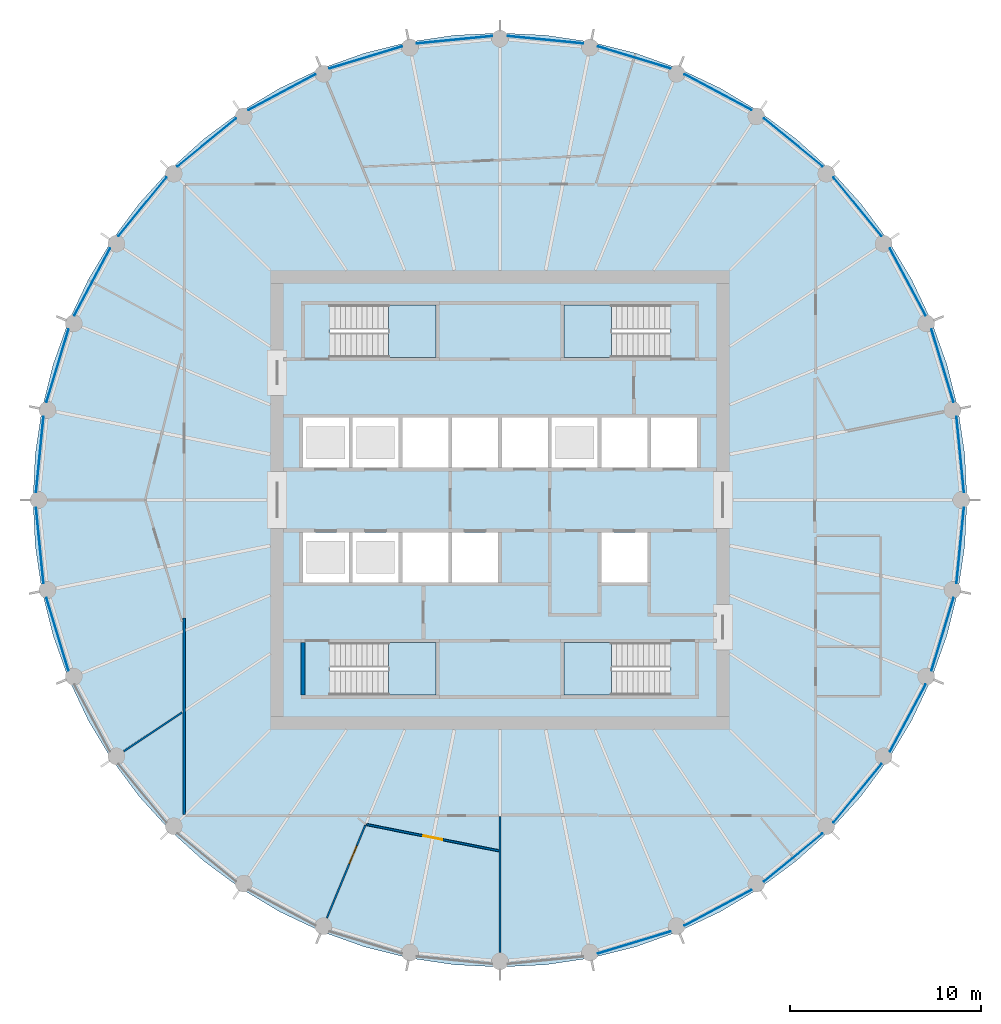
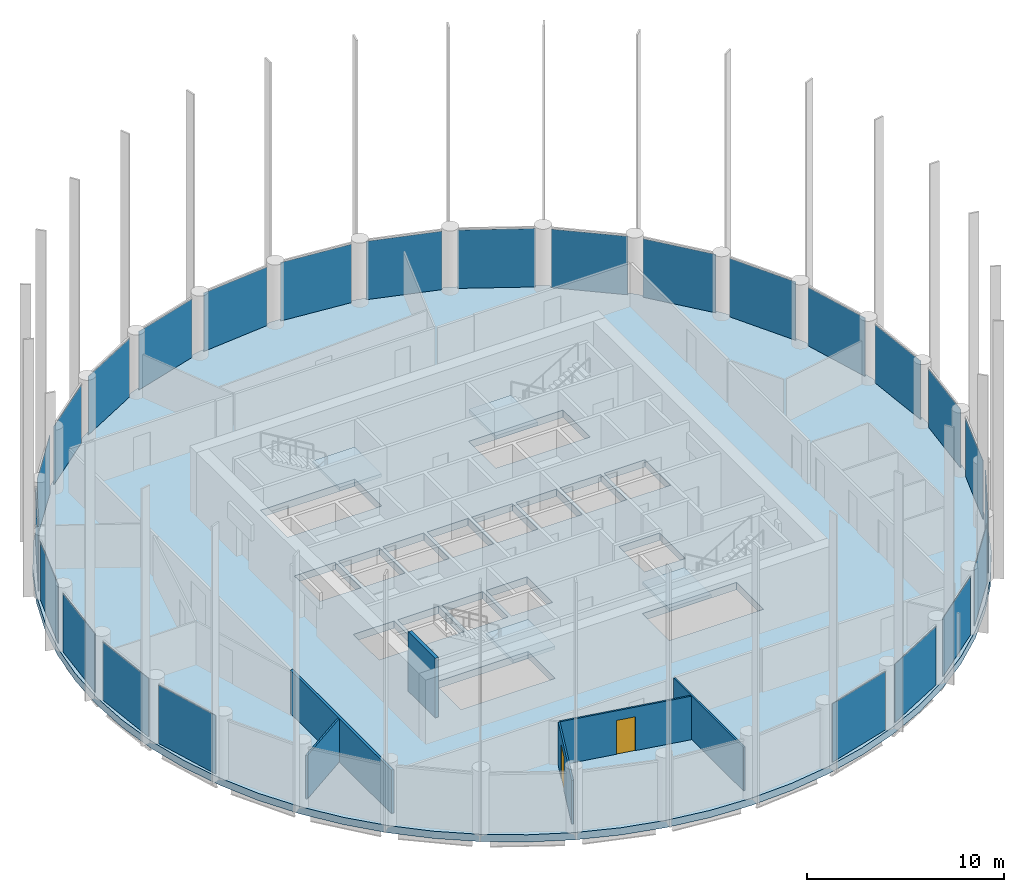
# One storey, part 3 of 9: 25 plates, 6 walls, 5 slabs, 2 doors, 2 openings, 29 elements without a shape of their own.
"""IFC4 building model written with IfcOpenShell, lengths in metres."""

from ifc_helpers import new_model, si_unit, direction, frame, frame_2d, origin, origin_2d, place, context, subcontext, project, spatial, polyline, rectangle, outline, extrude, material, layer, layer_set, type_object, element, fill, aggregate, save


model = new_model("IFC4")

# Units and contexts
model_context = context("Model", 3, precision=1e-05, world=origin(), true_north=direction((0.0, 1.0)))
body_context = subcontext(model_context, "Body", "Model", "MODEL_VIEW")
ifc_project = project(units=[si_unit("LENGTHUNIT", "METRE"), si_unit("AREAUNIT", "SQUARE_METRE"), si_unit("VOLUMEUNIT", "CUBIC_METRE"), si_unit("PLANEANGLEUNIT", "RADIAN"), si_unit("MASSUNIT", "GRAM", prefix="KILO")], contexts=[model_context])

# Site, building, storey
site_placement = place(None, origin())
site = spatial("IfcSite", under=ifc_project, at=site_placement, CompositionType="ELEMENT")
building_placement = place(site_placement, origin())
building = spatial("IfcBuilding", under=site, at=building_placement, Name="Corvane Civic Tower", CompositionType="ELEMENT")
storey_placement = place(building_placement, frame((0.0, 0.0, 263.0)))
storey = spatial("IfcBuildingStorey", under=building, at=storey_placement, Name="L62", CompositionType="ELEMENT", Elevation=263.0)

# Stair, slab
ifc_material_1 = material(Name="Concrete C40/50", Category="concrete")
stair_type = type_object("IfcStairType", Name="ST-STAIR-HALFTURN", PredefinedType="HALF_TURN_STAIR", material=ifc_material_1)
stair_1_placement = place(storey_placement, origin())
stair_1 = element("IfcStair", 1, at=stair_1_placement, inside=storey, type_object=stair_type, Name="L62 Exit stair ST1", PredefinedType="HALF_TURN_STAIR")
ifc_material_2 = material(Name="Concrete C40/50", Category="concrete")
ifc_layer_1 = layer(ifc_material_2, 0.199951171875)
ifc_layer_set_1 = layer_set([ifc_layer_1], Name="Concrete C40/50")
slab_type_1 = type_object("IfcSlabType", Name="ST-LANDING-RC", PredefinedType="LANDING", material=ifc_layer_set_1)
slab_1_placement = place(storey_placement, frame((0.0, 0.0, 1.800048828125)))
slab_1 = element("IfcSlab", 2, at=slab_1_placement, type_object=slab_type_1, Name="ST1 landing 1", PredefinedType="LANDING", context=body_context, shape_type="SweptSolid", body=[
    extrude(outline(polyline([(5.820068359375, 10.199951171875), (3.35009765625, 10.199951171875), (3.35009765625, 7.449951171875), (5.820068359375, 7.449951171875), (5.820068359375, 10.199951171875)])), origin(), (0.0, 0.0, 1.0), 0.199951171875),
])
aggregate(stair_1, [slab_1])

stair_2_placement = place(storey_placement, origin())
stair_2 = element("IfcStair", 3, at=stair_2_placement, inside=storey, type_object=stair_type, Name="L62 Exit stair ST2", PredefinedType="HALF_TURN_STAIR")
slab_2_placement = place(storey_placement, frame((0.0, 0.0, 1.800048828125)))
slab_2 = element("IfcSlab", 4, at=slab_2_placement, type_object=slab_type_1, Name="ST2 landing 1", PredefinedType="LANDING", context=body_context, shape_type="SweptSolid", body=[
    extrude(outline(polyline([(5.820068359375, -7.449951171875), (3.35009765625, -7.449951171875), (3.35009765625, -10.199951171875), (5.820068359375, -10.199951171875), (5.820068359375, -7.449951171875)])), origin(), (0.0, 0.0, 1.0), 0.199951171875),
])
aggregate(stair_2, [slab_2])

stair_3_placement = place(storey_placement, origin())
stair_3 = element("IfcStair", 5, at=stair_3_placement, inside=storey, type_object=stair_type, Name="L62 Exit stair ST3", PredefinedType="HALF_TURN_STAIR")
slab_3_placement = place(storey_placement, frame((0.0, 0.0, 1.800048828125)))
slab_3 = element("IfcSlab", 6, at=slab_3_placement, type_object=slab_type_1, Name="ST3 landing 1", PredefinedType="LANDING", context=body_context, shape_type="SweptSolid", body=[
    extrude(outline(polyline([(-5.820068359375, -10.199951171875), (-3.35009765625, -10.199951171875), (-3.35009765625, -7.449951171875), (-5.820068359375, -7.449951171875), (-5.820068359375, -10.199951171875)])), origin(), (0.0, 0.0, 1.0), 0.199951171875),
])
aggregate(stair_3, [slab_3])

stair_4_placement = place(storey_placement, origin())
stair_4 = element("IfcStair", 7, at=stair_4_placement, inside=storey, type_object=stair_type, Name="L62 Exit stair ST4", PredefinedType="HALF_TURN_STAIR")
slab_4_placement = place(storey_placement, frame((0.0, 0.0, 1.800048828125)))
slab_4 = element("IfcSlab", 8, at=slab_4_placement, type_object=slab_type_1, Name="ST4 landing 1", PredefinedType="LANDING", context=body_context, shape_type="SweptSolid", body=[
    extrude(outline(polyline([(-5.820068359375, 7.449951171875), (-3.35009765625, 7.449951171875), (-3.35009765625, 10.199951171875), (-5.820068359375, 10.199951171875), (-5.820068359375, 7.449951171875)])), origin(), (0.0, 0.0, 1.0), 0.199951171875),
])
aggregate(stair_4, [slab_4])

# Curtain wall, plate
ifc_material_3 = material(Name="Anodised aluminium bronze", Category="aluminium")
curtain_wall_type = type_object("IfcCurtainWallType", Name="TOWER CW-T3 STICK CURTAIN WALL", PredefinedType="NOTDEFINED", material=ifc_material_3)
curtain_wall_1_placement = place(storey_placement, origin())
curtain_wall_1 = element("IfcCurtainWall", 9, at=curtain_wall_1_placement, inside=storey, type_object=curtain_wall_type, Name="Curtain wall CW-T3 L62 bay 01", PredefinedType="NOTDEFINED")
ifc_material_4 = material(Name="Tinted glass", Category="glass")
ifc_layer_2 = layer(ifc_material_4, 0.028076171875)
ifc_layer_set_2 = layer_set([ifc_layer_2], Name="Tinted glass")
plate_type = type_object("IfcPlateType", Name="TOWER CW-T3 PANEL IGU28", PredefinedType="CURTAIN_PANEL", material=ifc_layer_set_2)
plate_1_placement = place(storey_placement, frame((2.368408203125, 24.046875, 0.0), z_axis=(0.0, 0.0, 1.0), x_axis=(0.99518437747, -0.098020685775, 0.0)))
plate_1 = element("IfcPlate", 10, at=plate_1_placement, type_object=plate_type, Name="Glass panel CW-T3 L62 01.1", PredefinedType="CURTAIN_PANEL", context=body_context, shape_type="SweptSolid", body=[
    extrude(rectangle(XDim=3.958740234375, YDim=0.028076171875, at=origin_2d()), origin(), (0.0, 0.0, 1.0), 3.6298828125),
])
aggregate(curtain_wall_1, [plate_1])

curtain_wall_2_placement = place(storey_placement, origin())
curtain_wall_2 = element("IfcCurtainWall", 11, at=curtain_wall_2_placement, inside=storey, type_object=curtain_wall_type, Name="Curtain wall CW-T3 L62 bay 02", PredefinedType="NOTDEFINED")
plate_2_placement = place(storey_placement, frame((7.01416015625, 23.12255859375, 0.0), z_axis=(0.0, 0.0, 1.0), x_axis=(0.956943694519, -0.290273604586, 0.0)))
plate_2 = element("IfcPlate", 12, at=plate_2_placement, type_object=plate_type, Name="Glass panel CW-T3 L62 02.1", PredefinedType="CURTAIN_PANEL", context=body_context, shape_type="SweptSolid", body=[
    extrude(rectangle(XDim=3.958984375, YDim=0.028076171875, at=origin_2d()), origin(), (0.0, 0.0, 1.0), 3.6298828125),
])
aggregate(curtain_wall_2, [plate_2])

curtain_wall_3_placement = place(storey_placement, origin())
curtain_wall_3 = element("IfcCurtainWall", 13, at=curtain_wall_3_placement, inside=storey, type_object=curtain_wall_type, Name="Curtain wall CW-T3 L62 bay 03", PredefinedType="NOTDEFINED")
plate_3_placement = place(storey_placement, frame((11.390380859375, 21.31005859375, 0.0), z_axis=(0.0, 0.0, 1.0), x_axis=(0.881908138655, -0.471421292448, 0.0)))
plate_3 = element("IfcPlate", 14, at=plate_3_placement, type_object=plate_type, Name="Glass panel CW-T3 L62 03.1", PredefinedType="CURTAIN_PANEL", context=body_context, shape_type="SweptSolid", body=[
    extrude(rectangle(XDim=3.958740234375, YDim=0.028076171875, at=origin_2d()), origin(), (0.0, 0.0, 1.0), 3.6298828125),
])
aggregate(curtain_wall_3, [plate_3])

curtain_wall_4_placement = place(storey_placement, origin())
curtain_wall_4 = element("IfcCurtainWall", 15, at=curtain_wall_4_placement, inside=storey, type_object=curtain_wall_type, Name="Curtain wall CW-T3 L62 bay 04", PredefinedType="NOTDEFINED")
plate_4_placement = place(storey_placement, frame((15.328857421875, 18.67822265625, 0.0), z_axis=(0.0, 0.0, 1.0), x_axis=(0.773001130565, -0.634404643855, 0.0)))
plate_4 = element("IfcPlate", 16, at=plate_4_placement, type_object=plate_type, Name="Glass panel CW-T3 L62 04.1", PredefinedType="CURTAIN_PANEL", context=body_context, shape_type="SweptSolid", body=[
    extrude(rectangle(XDim=3.958740234375, YDim=0.028076171875, at=origin_2d()), origin(), (0.0, 0.0, 1.0), 3.6298828125),
])
aggregate(curtain_wall_4, [plate_4])

curtain_wall_5_placement = place(storey_placement, origin())
curtain_wall_5 = element("IfcCurtainWall", 17, at=curtain_wall_5_placement, inside=storey, type_object=curtain_wall_type, Name="Curtain wall CW-T3 L62 bay 05", PredefinedType="NOTDEFINED")
plate_5_placement = place(storey_placement, frame((18.67822265625, 15.328857421875, 0.0), z_axis=(0.0, 0.0, 1.0), x_axis=(0.634404643855, -0.773001130565, 0.0)))
plate_5 = element("IfcPlate", 18, at=plate_5_placement, type_object=plate_type, Name="Glass panel CW-T3 L62 05.1", PredefinedType="CURTAIN_PANEL", context=body_context, shape_type="SweptSolid", body=[
    extrude(rectangle(XDim=3.958740234375, YDim=0.028076171875, at=origin_2d()), origin(), (0.0, 0.0, 1.0), 3.6298828125),
])
aggregate(curtain_wall_5, [plate_5])

curtain_wall_6_placement = place(storey_placement, origin())
curtain_wall_6 = element("IfcCurtainWall", 19, at=curtain_wall_6_placement, inside=storey, type_object=curtain_wall_type, Name="Curtain wall CW-T3 L62 bay 06", PredefinedType="NOTDEFINED")
plate_6_placement = place(storey_placement, frame((21.31005859375, 11.390380859375, 0.0), z_axis=(0.0, 0.0, 1.0), x_axis=(0.471421292448, -0.881908138655, 0.0)))
plate_6 = element("IfcPlate", 20, at=plate_6_placement, type_object=plate_type, Name="Glass panel CW-T3 L62 06.1", PredefinedType="CURTAIN_PANEL", context=body_context, shape_type="SweptSolid", body=[
    extrude(rectangle(XDim=3.958740234375, YDim=0.028076171875, at=origin_2d()), origin(), (0.0, 0.0, 1.0), 3.6298828125),
])
aggregate(curtain_wall_6, [plate_6])

curtain_wall_7_placement = place(storey_placement, origin())
curtain_wall_7 = element("IfcCurtainWall", 21, at=curtain_wall_7_placement, inside=storey, type_object=curtain_wall_type, Name="Curtain wall CW-T3 L62 bay 07", PredefinedType="NOTDEFINED")
plate_7_placement = place(storey_placement, frame((23.12255859375, 7.01416015625, 0.0), z_axis=(0.0, 0.0, 1.0), x_axis=(0.290273604586, -0.956943694519, 0.0)))
plate_7 = element("IfcPlate", 22, at=plate_7_placement, type_object=plate_type, Name="Glass panel CW-T3 L62 07.1", PredefinedType="CURTAIN_PANEL", context=body_context, shape_type="SweptSolid", body=[
    extrude(rectangle(XDim=3.958984375, YDim=0.028076171875, at=origin_2d()), origin(), (0.0, 0.0, 1.0), 3.6298828125),
])
aggregate(curtain_wall_7, [plate_7])

curtain_wall_8_placement = place(storey_placement, origin())
curtain_wall_8 = element("IfcCurtainWall", 23, at=curtain_wall_8_placement, inside=storey, type_object=curtain_wall_type, Name="Curtain wall CW-T3 L62 bay 08", PredefinedType="NOTDEFINED")
plate_8_placement = place(storey_placement, frame((24.046875, 2.368408203125, 0.0), z_axis=(0.0, 0.0, 1.0), x_axis=(0.098020685775, -0.99518437747, 0.0)))
plate_8 = element("IfcPlate", 24, at=plate_8_placement, type_object=plate_type, Name="Glass panel CW-T3 L62 08.1", PredefinedType="CURTAIN_PANEL", context=body_context, shape_type="SweptSolid", body=[
    extrude(rectangle(XDim=3.958740234375, YDim=0.028076171875, at=origin_2d()), origin(), (0.0, 0.0, 1.0), 3.6298828125),
])
aggregate(curtain_wall_8, [plate_8])

curtain_wall_9_placement = place(storey_placement, origin())
curtain_wall_9 = element("IfcCurtainWall", 25, at=curtain_wall_9_placement, inside=storey, type_object=curtain_wall_type, Name="Curtain wall CW-T3 L62 bay 09", PredefinedType="NOTDEFINED")
plate_9_placement = place(storey_placement, frame((24.046875, -2.368408203125, 0.0), z_axis=(0.0, 0.0, 1.0), x_axis=(-0.098020685775, -0.99518437747, 0.0)))
plate_9 = element("IfcPlate", 26, at=plate_9_placement, type_object=plate_type, Name="Glass panel CW-T3 L62 09.1", PredefinedType="CURTAIN_PANEL", context=body_context, shape_type="SweptSolid", body=[
    extrude(rectangle(XDim=3.958740234375, YDim=0.028076171875, at=origin_2d()), origin(), (0.0, 0.0, 1.0), 3.6298828125),
])
aggregate(curtain_wall_9, [plate_9])

curtain_wall_10_placement = place(storey_placement, origin())
curtain_wall_10 = element("IfcCurtainWall", 27, at=curtain_wall_10_placement, inside=storey, type_object=curtain_wall_type, Name="Curtain wall CW-T3 L62 bay 10", PredefinedType="NOTDEFINED")
plate_10_placement = place(storey_placement, frame((23.12255859375, -7.01416015625, 0.0), z_axis=(0.0, 0.0, 1.0), x_axis=(-0.290273604586, -0.956943694519, 0.0)))
plate_10 = element("IfcPlate", 28, at=plate_10_placement, type_object=plate_type, Name="Glass panel CW-T3 L62 10.1", PredefinedType="CURTAIN_PANEL", context=body_context, shape_type="SweptSolid", body=[
    extrude(rectangle(XDim=3.958984375, YDim=0.028076171875, at=origin_2d()), origin(), (0.0, 0.0, 1.0), 3.6298828125),
])
aggregate(curtain_wall_10, [plate_10])

curtain_wall_11_placement = place(storey_placement, origin())
curtain_wall_11 = element("IfcCurtainWall", 29, at=curtain_wall_11_placement, inside=storey, type_object=curtain_wall_type, Name="Curtain wall CW-T3 L62 bay 11", PredefinedType="NOTDEFINED")
plate_11_placement = place(storey_placement, frame((21.31005859375, -11.390380859375, 0.0), z_axis=(0.0, 0.0, 1.0), x_axis=(-0.471421292448, -0.881908138655, 0.0)))
plate_11 = element("IfcPlate", 30, at=plate_11_placement, type_object=plate_type, Name="Glass panel CW-T3 L62 11.1", PredefinedType="CURTAIN_PANEL", context=body_context, shape_type="SweptSolid", body=[
    extrude(rectangle(XDim=3.958740234375, YDim=0.028076171875, at=origin_2d()), origin(), (0.0, 0.0, 1.0), 3.6298828125),
])
aggregate(curtain_wall_11, [plate_11])

curtain_wall_12_placement = place(storey_placement, origin())
curtain_wall_12 = element("IfcCurtainWall", 31, at=curtain_wall_12_placement, inside=storey, type_object=curtain_wall_type, Name="Curtain wall CW-T3 L62 bay 12", PredefinedType="NOTDEFINED")
plate_12_placement = place(storey_placement, frame((18.67822265625, -15.328857421875, 0.0), z_axis=(0.0, 0.0, 1.0), x_axis=(-0.634404643855, -0.773001130565, 0.0)))
plate_12 = element("IfcPlate", 32, at=plate_12_placement, type_object=plate_type, Name="Glass panel CW-T3 L62 12.1", PredefinedType="CURTAIN_PANEL", context=body_context, shape_type="SweptSolid", body=[
    extrude(rectangle(XDim=3.958740234375, YDim=0.028076171875, at=origin_2d()), origin(), (0.0, 0.0, 1.0), 3.6298828125),
])
aggregate(curtain_wall_12, [plate_12])

curtain_wall_13_placement = place(storey_placement, origin())
curtain_wall_13 = element("IfcCurtainWall", 33, at=curtain_wall_13_placement, inside=storey, type_object=curtain_wall_type, Name="Curtain wall CW-T3 L62 bay 13", PredefinedType="NOTDEFINED")
plate_13_placement = place(storey_placement, frame((15.328857421875, -18.67822265625, 0.0), z_axis=(0.0, 0.0, 1.0), x_axis=(-0.773001130565, -0.634404643855, 0.0)))
plate_13 = element("IfcPlate", 34, at=plate_13_placement, type_object=plate_type, Name="Glass panel CW-T3 L62 13.1", PredefinedType="CURTAIN_PANEL", context=body_context, shape_type="SweptSolid", body=[
    extrude(rectangle(XDim=3.958740234375, YDim=0.028076171875, at=origin_2d()), origin(), (0.0, 0.0, 1.0), 3.6298828125),
])
aggregate(curtain_wall_13, [plate_13])

curtain_wall_14_placement = place(storey_placement, origin())
curtain_wall_14 = element("IfcCurtainWall", 35, at=curtain_wall_14_placement, inside=storey, type_object=curtain_wall_type, Name="Curtain wall CW-T3 L62 bay 14", PredefinedType="NOTDEFINED")
plate_14_placement = place(storey_placement, frame((11.390380859375, -21.31005859375, 0.0), z_axis=(0.0, 0.0, 1.0), x_axis=(-0.881908138655, -0.471421292448, 0.0)))
plate_14 = element("IfcPlate", 36, at=plate_14_placement, type_object=plate_type, Name="Glass panel CW-T3 L62 14.1", PredefinedType="CURTAIN_PANEL", context=body_context, shape_type="SweptSolid", body=[
    extrude(rectangle(XDim=3.958740234375, YDim=0.028076171875, at=origin_2d()), origin(), (0.0, 0.0, 1.0), 3.6298828125),
])
aggregate(curtain_wall_14, [plate_14])

curtain_wall_15_placement = place(storey_placement, origin())
curtain_wall_15 = element("IfcCurtainWall", 37, at=curtain_wall_15_placement, inside=storey, type_object=curtain_wall_type, Name="Curtain wall CW-T3 L62 bay 15", PredefinedType="NOTDEFINED")
plate_15_placement = place(storey_placement, frame((7.01416015625, -23.12255859375, 0.0), z_axis=(0.0, 0.0, 1.0), x_axis=(-0.956943694519, -0.290273604586, 0.0)))
plate_15 = element("IfcPlate", 38, at=plate_15_placement, type_object=plate_type, Name="Glass panel CW-T3 L62 15.1", PredefinedType="CURTAIN_PANEL", context=body_context, shape_type="SweptSolid", body=[
    extrude(rectangle(XDim=3.958984375, YDim=0.028076171875, at=origin_2d()), origin(), (0.0, 0.0, 1.0), 3.6298828125),
])
aggregate(curtain_wall_15, [plate_15])

curtain_wall_16_placement = place(storey_placement, origin())
curtain_wall_16 = element("IfcCurtainWall", 39, at=curtain_wall_16_placement, inside=storey, type_object=curtain_wall_type, Name="Curtain wall CW-T3 L62 bay 23", PredefinedType="NOTDEFINED")
plate_16_placement = place(storey_placement, frame((-23.12255859375, -7.01416015625, 0.0), z_axis=(0.0, 0.0, 1.0), x_axis=(-0.290273604586, 0.956943694519, 0.0)))
plate_16 = element("IfcPlate", 40, at=plate_16_placement, type_object=plate_type, Name="Glass panel CW-T3 L62 23.1", PredefinedType="CURTAIN_PANEL", context=body_context, shape_type="SweptSolid", body=[
    extrude(rectangle(XDim=3.958984375, YDim=0.028076171875, at=origin_2d()), origin(), (0.0, 0.0, 1.0), 3.6298828125),
])
aggregate(curtain_wall_16, [plate_16])

curtain_wall_17_placement = place(storey_placement, origin())
curtain_wall_17 = element("IfcCurtainWall", 41, at=curtain_wall_17_placement, inside=storey, type_object=curtain_wall_type, Name="Curtain wall CW-T3 L62 bay 24", PredefinedType="NOTDEFINED")
plate_17_placement = place(storey_placement, frame((-24.046875, -2.368408203125, 0.0), z_axis=(0.0, 0.0, 1.0), x_axis=(-0.098020685775, 0.99518437747, 0.0)))
plate_17 = element("IfcPlate", 42, at=plate_17_placement, type_object=plate_type, Name="Glass panel CW-T3 L62 24.1", PredefinedType="CURTAIN_PANEL", context=body_context, shape_type="SweptSolid", body=[
    extrude(rectangle(XDim=3.958740234375, YDim=0.028076171875, at=origin_2d()), origin(), (0.0, 0.0, 1.0), 3.6298828125),
])
aggregate(curtain_wall_17, [plate_17])

curtain_wall_18_placement = place(storey_placement, origin())
curtain_wall_18 = element("IfcCurtainWall", 43, at=curtain_wall_18_placement, inside=storey, type_object=curtain_wall_type, Name="Curtain wall CW-T3 L62 bay 25", PredefinedType="NOTDEFINED")
plate_18_placement = place(storey_placement, frame((-24.046875, 2.368408203125, 0.0), z_axis=(0.0, 0.0, 1.0), x_axis=(0.098020685775, 0.99518437747, 0.0)))
plate_18 = element("IfcPlate", 44, at=plate_18_placement, type_object=plate_type, Name="Glass panel CW-T3 L62 25.1", PredefinedType="CURTAIN_PANEL", context=body_context, shape_type="SweptSolid", body=[
    extrude(rectangle(XDim=3.958740234375, YDim=0.028076171875, at=origin_2d()), origin(), (0.0, 0.0, 1.0), 3.6298828125),
])
aggregate(curtain_wall_18, [plate_18])

curtain_wall_19_placement = place(storey_placement, origin())
curtain_wall_19 = element("IfcCurtainWall", 45, at=curtain_wall_19_placement, inside=storey, type_object=curtain_wall_type, Name="Curtain wall CW-T3 L62 bay 26", PredefinedType="NOTDEFINED")
plate_19_placement = place(storey_placement, frame((-23.12255859375, 7.01416015625, 0.0), z_axis=(0.0, 0.0, 1.0), x_axis=(0.290273604586, 0.956943694519, 0.0)))
plate_19 = element("IfcPlate", 46, at=plate_19_placement, type_object=plate_type, Name="Glass panel CW-T3 L62 26.1", PredefinedType="CURTAIN_PANEL", context=body_context, shape_type="SweptSolid", body=[
    extrude(rectangle(XDim=3.958984375, YDim=0.028076171875, at=origin_2d()), origin(), (0.0, 0.0, 1.0), 3.6298828125),
])
aggregate(curtain_wall_19, [plate_19])

curtain_wall_20_placement = place(storey_placement, origin())
curtain_wall_20 = element("IfcCurtainWall", 47, at=curtain_wall_20_placement, inside=storey, type_object=curtain_wall_type, Name="Curtain wall CW-T3 L62 bay 27", PredefinedType="NOTDEFINED")
plate_20_placement = place(storey_placement, frame((-21.31005859375, 11.390380859375, 0.0), z_axis=(0.0, 0.0, 1.0), x_axis=(0.471421292448, 0.881908138655, 0.0)))
plate_20 = element("IfcPlate", 48, at=plate_20_placement, type_object=plate_type, Name="Glass panel CW-T3 L62 27.1", PredefinedType="CURTAIN_PANEL", context=body_context, shape_type="SweptSolid", body=[
    extrude(rectangle(XDim=3.958740234375, YDim=0.028076171875, at=origin_2d()), origin(), (0.0, 0.0, 1.0), 3.6298828125),
])
aggregate(curtain_wall_20, [plate_20])

curtain_wall_21_placement = place(storey_placement, origin())
curtain_wall_21 = element("IfcCurtainWall", 49, at=curtain_wall_21_placement, inside=storey, type_object=curtain_wall_type, Name="Curtain wall CW-T3 L62 bay 28", PredefinedType="NOTDEFINED")
plate_21_placement = place(storey_placement, frame((-18.67822265625, 15.328857421875, 0.0), z_axis=(0.0, 0.0, 1.0), x_axis=(0.634404643855, 0.773001130565, 0.0)))
plate_21 = element("IfcPlate", 50, at=plate_21_placement, type_object=plate_type, Name="Glass panel CW-T3 L62 28.1", PredefinedType="CURTAIN_PANEL", context=body_context, shape_type="SweptSolid", body=[
    extrude(rectangle(XDim=3.958740234375, YDim=0.028076171875, at=origin_2d()), origin(), (0.0, 0.0, 1.0), 3.6298828125),
])
aggregate(curtain_wall_21, [plate_21])

curtain_wall_22_placement = place(storey_placement, origin())
curtain_wall_22 = element("IfcCurtainWall", 51, at=curtain_wall_22_placement, inside=storey, type_object=curtain_wall_type, Name="Curtain wall CW-T3 L62 bay 29", PredefinedType="NOTDEFINED")
plate_22_placement = place(storey_placement, frame((-15.328857421875, 18.67822265625, 0.0), z_axis=(0.0, 0.0, 1.0), x_axis=(0.773001130565, 0.634404643855, 0.0)))
plate_22 = element("IfcPlate", 52, at=plate_22_placement, type_object=plate_type, Name="Glass panel CW-T3 L62 29.1", PredefinedType="CURTAIN_PANEL", context=body_context, shape_type="SweptSolid", body=[
    extrude(rectangle(XDim=3.958740234375, YDim=0.028076171875, at=origin_2d()), origin(), (0.0, 0.0, 1.0), 3.6298828125),
])
aggregate(curtain_wall_22, [plate_22])

curtain_wall_23_placement = place(storey_placement, origin())
curtain_wall_23 = element("IfcCurtainWall", 53, at=curtain_wall_23_placement, inside=storey, type_object=curtain_wall_type, Name="Curtain wall CW-T3 L62 bay 30", PredefinedType="NOTDEFINED")
plate_23_placement = place(storey_placement, frame((-11.390380859375, 21.31005859375, 0.0), z_axis=(0.0, 0.0, 1.0), x_axis=(0.881908138655, 0.471421292448, 0.0)))
plate_23 = element("IfcPlate", 54, at=plate_23_placement, type_object=plate_type, Name="Glass panel CW-T3 L62 30.1", PredefinedType="CURTAIN_PANEL", context=body_context, shape_type="SweptSolid", body=[
    extrude(rectangle(XDim=3.958740234375, YDim=0.028076171875, at=origin_2d()), origin(), (0.0, 0.0, 1.0), 3.6298828125),
])
aggregate(curtain_wall_23, [plate_23])

curtain_wall_24_placement = place(storey_placement, origin())
curtain_wall_24 = element("IfcCurtainWall", 55, at=curtain_wall_24_placement, inside=storey, type_object=curtain_wall_type, Name="Curtain wall CW-T3 L62 bay 31", PredefinedType="NOTDEFINED")
plate_24_placement = place(storey_placement, frame((-7.01416015625, 23.12255859375, 0.0), z_axis=(0.0, 0.0, 1.0), x_axis=(0.956943694519, 0.290273604586, 0.0)))
plate_24 = element("IfcPlate", 56, at=plate_24_placement, type_object=plate_type, Name="Glass panel CW-T3 L62 31.1", PredefinedType="CURTAIN_PANEL", context=body_context, shape_type="SweptSolid", body=[
    extrude(rectangle(XDim=3.958984375, YDim=0.028076171875, at=origin_2d()), origin(), (0.0, 0.0, 1.0), 3.6298828125),
])
aggregate(curtain_wall_24, [plate_24])

curtain_wall_25_placement = place(storey_placement, origin())
curtain_wall_25 = element("IfcCurtainWall", 57, at=curtain_wall_25_placement, inside=storey, type_object=curtain_wall_type, Name="Curtain wall CW-T3 L62 bay 32", PredefinedType="NOTDEFINED")
plate_25_placement = place(storey_placement, frame((-2.368408203125, 24.046875, 0.0), z_axis=(0.0, 0.0, 1.0), x_axis=(0.99518437747, 0.098020685775, 0.0)))
plate_25 = element("IfcPlate", 58, at=plate_25_placement, type_object=plate_type, Name="Glass panel CW-T3 L62 32.1", PredefinedType="CURTAIN_PANEL", context=body_context, shape_type="SweptSolid", body=[
    extrude(rectangle(XDim=3.958740234375, YDim=0.028076171875, at=origin_2d()), origin(), (0.0, 0.0, 1.0), 3.6298828125),
])
aggregate(curtain_wall_25, [plate_25])

# Slab
ifc_material_5 = material(Name="Concrete C50/60", Category="concrete")
ifc_layer_3 = layer(ifc_material_5, 0.449951171875)
ifc_layer_set_3 = layer_set([ifc_layer_3], Name="Concrete C50/60")
slab_type_2 = type_object("IfcSlabType", Name="TRANSFER FLOOR SLAB 450", PredefinedType="FLOOR", material=ifc_layer_set_3)
slab_5_placement = place(storey_placement, frame((0.0, 0.0, -0.449951171875)))
element("IfcSlab", 59, at=slab_5_placement, inside=storey, type_object=slab_type_2, Name="SLB-L62", PredefinedType="FLOOR", context=body_context, shape_type="SweptSolid", body=[
    extrude(outline(polyline([(0.0, 24.39990234375), (-2.3916015625, 24.282470703125), (-4.76025390625, 23.93115234375), (-7.0830078125, 23.349365234375), (-9.33740234375, 22.542724609375), (-11.502197265625, 21.518798828125), (-13.555908203125, 20.287841796875), (-15.479248046875, 18.861572265625), (-17.25341796875, 17.25341796875), (-18.861572265625, 15.479248046875), (-20.287841796875, 13.555908203125), (-21.518798828125, 11.502197265625), (-22.542724609375, 9.33740234375), (-23.349365234375, 7.0830078125), (-23.93115234375, 4.76025390625), (-24.282470703125, 2.3916015625), (-24.39990234375, 0.0), (-24.282470703125, -2.3916015625), (-23.93115234375, -4.76025390625), (-23.349365234375, -7.0830078125), (-22.542724609375, -9.33740234375), (-21.518798828125, -11.502197265625), (-20.287841796875, -13.555908203125), (-18.861572265625, -15.479248046875), (-17.25341796875, -17.25341796875), (-15.479248046875, -18.861572265625), (-13.555908203125, -20.287841796875), (-11.502197265625, -21.518798828125), (-9.33740234375, -22.542724609375), (-7.0830078125, -23.349365234375), (-4.76025390625, -23.93115234375), (-2.3916015625, -24.282470703125), (0.0, -24.39990234375), (2.3916015625, -24.282470703125), (4.76025390625, -23.93115234375), (7.0830078125, -23.349365234375), (9.33740234375, -22.542724609375), (11.502197265625, -21.518798828125), (13.555908203125, -20.287841796875), (15.479248046875, -18.861572265625), (17.25341796875, -17.25341796875), (18.861572265625, -15.479248046875), (20.287841796875, -13.555908203125), (21.518798828125, -11.502197265625), (22.542724609375, -9.33740234375), (23.349365234375, -7.0830078125), (23.93115234375, -4.76025390625), (24.282470703125, -2.3916015625), (24.39990234375, 0.0), (24.282470703125, 2.3916015625), (23.93115234375, 4.76025390625), (23.349365234375, 7.0830078125), (22.542724609375, 9.33740234375), (21.518798828125, 11.502197265625), (20.287841796875, 13.555908203125), (18.861572265625, 15.479248046875), (17.25341796875, 17.25341796875), (15.479248046875, 18.861572265625), (13.555908203125, 20.287841796875), (11.502197265625, 21.518798828125), (9.33740234375, 22.542724609375), (7.0830078125, 23.349365234375), (4.76025390625, 23.93115234375), (2.3916015625, 24.282470703125), (0.0, 24.39990234375)]), holes=[polyline([(-7.89990234375, 1.699951171875), (-10.300048828125, 1.699951171875), (-10.300048828125, 4.300048828125), (-7.89990234375, 4.300048828125), (-7.89990234375, 1.699951171875)]), polyline([(-5.300048828125, 1.699951171875), (-7.699951171875, 1.699951171875), (-7.699951171875, 4.300048828125), (-5.300048828125, 4.300048828125), (-5.300048828125, 1.699951171875)]), polyline([(-2.699951171875, 1.699951171875), (-5.10009765625, 1.699951171875), (-5.10009765625, 4.300048828125), (-2.699951171875, 4.300048828125), (-2.699951171875, 1.699951171875)]), polyline([(-2.5, 4.300048828125), (-0.10009765625, 4.300048828125), (-0.10009765625, 1.699951171875), (-2.5, 1.699951171875), (-2.5, 4.300048828125)]), polyline([(2.5, 1.699951171875), (0.10009765625, 1.699951171875), (0.10009765625, 4.300048828125), (2.5, 4.300048828125), (2.5, 1.699951171875)]), polyline([(5.10009765625, 1.699951171875), (2.699951171875, 1.699951171875), (2.699951171875, 4.300048828125), (5.10009765625, 4.300048828125), (5.10009765625, 1.699951171875)]), polyline([(5.300048828125, 4.300048828125), (7.699951171875, 4.300048828125), (7.699951171875, 1.699951171875), (5.300048828125, 1.699951171875), (5.300048828125, 4.300048828125)]), polyline([(7.89990234375, 4.300048828125), (10.300048828125, 4.300048828125), (10.300048828125, 1.699951171875), (7.89990234375, 1.699951171875), (7.89990234375, 4.300048828125)]), polyline([(-10.300048828125, -1.699951171875), (-7.89990234375, -1.699951171875), (-7.89990234375, -4.300048828125), (-10.300048828125, -4.300048828125), (-10.300048828125, -1.699951171875)]), polyline([(-7.699951171875, -1.699951171875), (-5.300048828125, -1.699951171875), (-5.300048828125, -4.300048828125), (-7.699951171875, -4.300048828125), (-7.699951171875, -1.699951171875)]), polyline([(-5.10009765625, -1.699951171875), (-2.699951171875, -1.699951171875), (-2.699951171875, -4.300048828125), (-5.10009765625, -4.300048828125), (-5.10009765625, -1.699951171875)]), polyline([(-2.5, -1.699951171875), (-0.10009765625, -1.699951171875), (-0.10009765625, -4.300048828125), (-2.5, -4.300048828125), (-2.5, -1.699951171875)]), polyline([(5.300048828125, -1.699951171875), (7.699951171875, -1.699951171875), (7.699951171875, -4.300048828125), (5.300048828125, -4.300048828125), (5.300048828125, -1.699951171875)]), polyline([(8.889892578125, 10.199951171875), (8.889892578125, 7.449951171875), (3.35009765625, 7.449951171875), (3.35009765625, 10.199951171875), (8.889892578125, 10.199951171875)]), polyline([(-8.889892578125, 7.449951171875), (-8.889892578125, 10.199951171875), (-3.35009765625, 10.199951171875), (-3.35009765625, 7.449951171875), (-8.889892578125, 7.449951171875)]), polyline([(8.889892578125, -7.449951171875), (8.889892578125, -10.199951171875), (3.35009765625, -10.199951171875), (3.35009765625, -7.449951171875), (8.889892578125, -7.449951171875)]), polyline([(-8.889892578125, -10.199951171875), (-8.889892578125, -7.449951171875), (-3.35009765625, -7.449951171875), (-3.35009765625, -10.199951171875), (-8.889892578125, -10.199951171875)])]), origin(), (0.0, 0.0, 1.0), 0.449951171875),
])

# Wall
ifc_material_6 = material(Name="Plasterboard")
ifc_layer_4 = layer(ifc_material_6, 0.10009765625)
ifc_layer_set_4 = layer_set([ifc_layer_4], Name="Plasterboard")
wall_type_1 = type_object("IfcWallType", Name="Partition 100 plasterboard on studs", PredefinedType="PARTITIONING", material=ifc_layer_set_4)
wall_1_placement = place(storey_placement, frame((0.0, -23.64013671875, 0.0), z_axis=(0.0, 0.0, 1.0), x_axis=(0.0, 1.0, 0.0)))
element("IfcWall", 60, at=wall_1_placement, inside=storey, type_object=wall_type_1, Name="Partition L62.001", PredefinedType="PARTITIONING", context=body_context, shape_type="SweptSolid", body=[
    extrude(rectangle(XDim=7.10009765625, YDim=0.10009765625, at=frame_2d((3.550048828125, 0.0))), origin(), (0.0, 0.0, 1.0), 2.699951171875),
])

# Wall, opening, door
wall_2_placement = place(storey_placement, frame((-9.046630859375, -21.84033203125, 0.0), z_axis=(0.0, 0.0, 1.0), x_axis=(0.382671793603, 0.923884353359, 0.0)))
wall_2 = element("IfcWall", 61, at=wall_2_placement, inside=storey, type_object=wall_type_1, Name="Partition L62.002", PredefinedType="PARTITIONING", context=body_context, shape_type="SweptSolid", body=[
    extrude(rectangle(XDim=5.255859375, YDim=0.10009765625, at=frame_2d((2.6279296875, 0.0))), origin(), (0.0, 0.0, 1.0), 2.699951171875),
])
opening_1_placement = place(wall_2_placement, frame((3.075439453125, 0.0, 0.0)))
opening_1 = element("IfcOpeningElement", 62, at=opening_1_placement, cuts=wall_2, Name="Opening L62.002", PredefinedType="OPENING", context=body_context, shape_type="SweptSolid", body=[
    extrude(rectangle(XDim=1.0, YDim=2.10009765625, at=frame_2d((0.5, 1.050048828125))), frame((0.0, 0.06005859375, 0.0), z_axis=(0.0, -1.0, 0.0), x_axis=(1.0, 0.0, 0.0)), (0.0, 0.0, 1.0), 0.1201171875),
])
ifc_material_7 = material(Name="Timber", Category="wood")
door_type = type_object("IfcDoorType", Name="Single door 1000", OperationType="NOTDEFINED", PredefinedType="DOOR", material=ifc_material_7)
door_1_placement = place(opening_1_placement, origin())
door_1 = element("IfcDoor", 63, at=door_1_placement, inside=storey, type_object=door_type, Name="Door L62.002", OperationType="SINGLE_SWING_RIGHT", OverallHeight=2.10009765625, OverallWidth=1.0, PredefinedType="DOOR", context=body_context, shape_type="SweptSolid", body=[
    extrude(rectangle(XDim=1.0, YDim=2.10009765625, at=frame_2d((0.5, 1.050048828125))), frame((0.0, 0.02490234375, 0.0), z_axis=(0.0, -1.0, 0.0), x_axis=(1.0, 0.0, 0.0)), (0.0, 0.0, 1.0), 0.050048828125),
])
fill(opening_1, door_1)

wall_3_placement = place(storey_placement, frame((-6.979248046875, -16.95458984375, 0.0), z_axis=(0.0, 0.0, 1.0), x_axis=(0.980782461665, -0.195104492233, 0.0)))
wall_3 = element("IfcWall", 64, at=wall_3_placement, inside=storey, type_object=wall_type_1, Name="Partition L62.004", PredefinedType="PARTITIONING", context=body_context, shape_type="SweptSolid", body=[
    extrude(rectangle(XDim=7.054931640625, YDim=0.10009765625, at=frame_2d((3.52734375, 0.0))), origin(), (0.0, 0.0, 1.0), 2.699951171875),
])
opening_2_placement = place(wall_3_placement, frame((3.03759765625, 0.0, 0.0)))
opening_2 = element("IfcOpeningElement", 65, at=opening_2_placement, cuts=wall_3, Name="Opening L62.001", PredefinedType="OPENING", context=body_context, shape_type="SweptSolid", body=[
    extrude(rectangle(XDim=1.0, YDim=2.10009765625, at=frame_2d((0.5, 1.050048828125))), frame((0.0, 0.06005859375, 0.0), z_axis=(0.0, -1.0, 0.0), x_axis=(1.0, 0.0, 0.0)), (0.0, 0.0, 1.0), 0.1201171875),
])
door_2_placement = place(opening_2_placement, frame((1.0, 0.0, 0.0), z_axis=(0.0, 0.0, 1.0), x_axis=(-1.0, 0.0, 0.0)))
door_2 = element("IfcDoor", 66, at=door_2_placement, inside=storey, type_object=door_type, Name="Door L62.001", OperationType="SINGLE_SWING_LEFT", OverallHeight=2.10009765625, OverallWidth=1.0, PredefinedType="DOOR", context=body_context, shape_type="SweptSolid", body=[
    extrude(rectangle(XDim=1.0, YDim=2.10009765625, at=frame_2d((0.5, 1.050048828125))), frame((0.0, 0.02490234375, 0.0), z_axis=(0.0, -1.0, 0.0), x_axis=(1.0, 0.0, 0.0)), (0.0, 0.0, 1.0), 0.050048828125),
])
fill(opening_2, door_2)

# Walls
wall_4_placement = place(storey_placement, frame((-19.656005859375, -13.133544921875, 0.0), z_axis=(0.0, 0.0, 1.0), x_axis=(0.831477046095, 0.555559107402, 0.0)))
element("IfcWall", 67, at=wall_4_placement, inside=storey, type_object=wall_type_1, Name="Partition L62.010", PredefinedType="PARTITIONING", context=body_context, shape_type="SweptSolid", body=[
    extrude(rectangle(XDim=3.672119140625, YDim=0.10009765625, at=frame_2d((1.8359375, 0.0))), origin(), (0.0, 0.0, 1.0), 2.699951171875),
])
ifc_material_8 = material(Name="Concrete C50/60", Category="concrete")
ifc_layer_5 = layer(ifc_material_8, 0.199951171875)
ifc_layer_set_5 = layer_set([ifc_layer_5], Name="Concrete C50/60")
wall_type_2 = type_object("IfcWallType", Name="ST-WALL-200", PredefinedType="SHEAR", material=ifc_layer_set_5)
wall_5_placement = place(storey_placement, origin())
element("IfcWall", 68, at=wall_5_placement, inside=storey, type_object=wall_type_2, Name="L62 stair enclosure wall", PredefinedType="SHEAR", context=body_context, shape_type="SweptSolid", body=[
    extrude(outline(polyline([(-10.199951171875, -7.449951171875), (-10.199951171875, -10.199951171875), (-10.39990234375, -10.199951171875), (-10.39990234375, -7.449951171875), (-10.199951171875, -7.449951171875)])), origin(), (0.0, 0.0, 1.0), 3.699951171875),
])
ifc_material_9 = material(Name="Plasterboard")
ifc_layer_6 = layer(ifc_material_9, 0.14990234375)
ifc_layer_set_6 = layer_set([ifc_layer_6], Name="Plasterboard")
wall_type_3 = type_object("IfcWallType", Name="Tenancy wall 150 EI 60", PredefinedType="PARTITIONING", material=ifc_layer_set_6)
wall_6_placement = place(storey_placement, frame((-16.5, -16.425048828125, 0.0), z_axis=(0.0, 0.0, 1.0), x_axis=(0.0, 1.0, 0.0)))
element("IfcWall", 69, at=wall_6_placement, inside=storey, type_object=wall_type_3, Name="Partition L62.008", PredefinedType="PARTITIONING", context=body_context, shape_type="SweptSolid", body=[
    extrude(rectangle(XDim=10.2685546875, YDim=0.14990234375, at=frame_2d((5.13427734375, 0.0))), origin(), (0.0, 0.0, 1.0), 2.699951171875),
])

save(model, "model.ifc")
